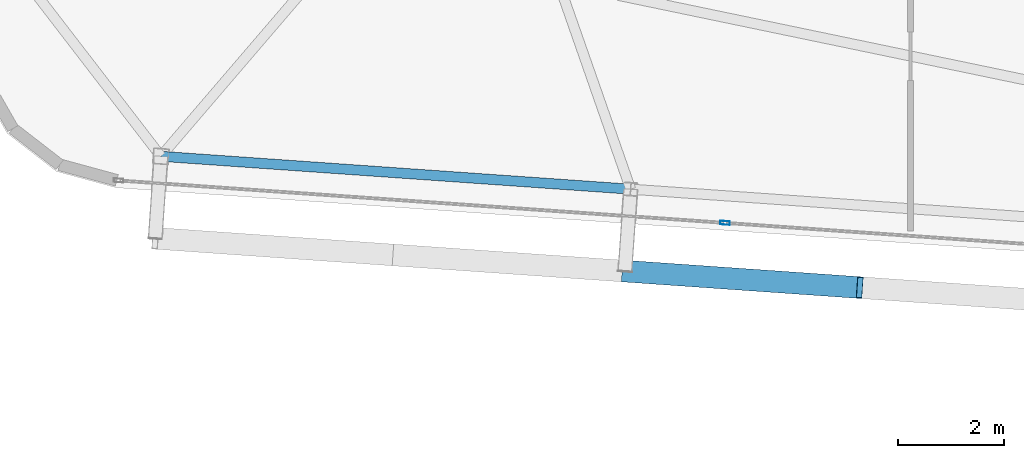
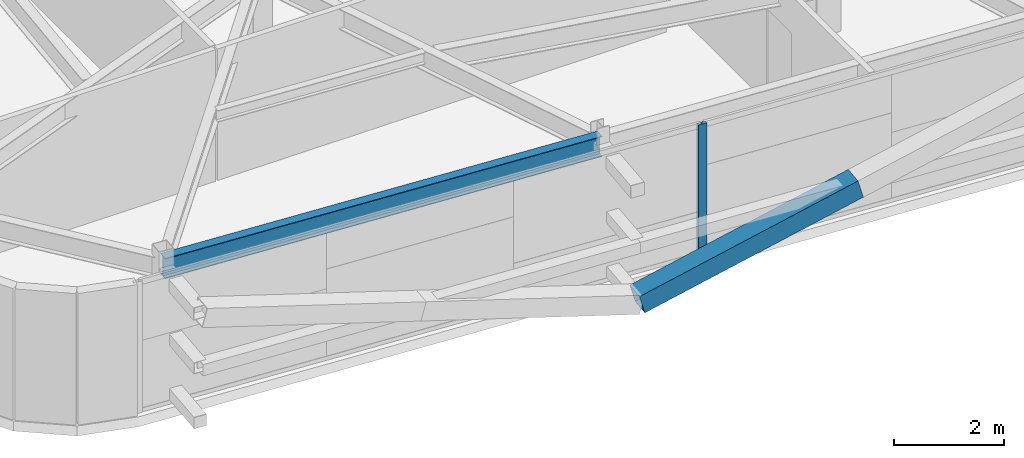
# One storey, part 7 of 39: 2 members, 1 beam, 1 element without a shape of its own.
"""IFC4 building model written with IfcOpenShell, lengths in metres."""

from ifc_helpers import new_model, si_unit, direction, frame, origin, origin_2d, place, context, subcontext, project, spatial, hollow_rectangle, i_section, extrude, source, transform, mapped, material, layer, layer_set, material_profile, profile_set, type_object, element, aggregate, save


model = new_model("IFC4")

# Units and contexts
model_context = context("Model", 3, precision=1e-05, world=origin(), true_north=direction((0.0, 1.0)))
body_context = subcontext(model_context, "Body", "Model", "MODEL_VIEW")
ifc_project = project(units=[si_unit("LENGTHUNIT", "METRE"), si_unit("AREAUNIT", "SQUARE_METRE"), si_unit("VOLUMEUNIT", "CUBIC_METRE"), si_unit("PLANEANGLEUNIT", "RADIAN"), si_unit("MASSUNIT", "GRAM", prefix="KILO")], contexts=[model_context])

# Site, building, storey
site_placement = place(None, origin())
site = spatial("IfcSite", under=ifc_project, at=site_placement, CompositionType="ELEMENT")
building_placement = place(site_placement, origin())
building = spatial("IfcBuilding", under=site, at=building_placement, Name="Taldren Reach Tower", CompositionType="ELEMENT")
storey_placement = place(building_placement, frame((0.0, 0.0, 129.85009765625)))
storey = spatial("IfcBuildingStorey", under=building, at=storey_placement, Name="L39", CompositionType="ELEMENT", Elevation=129.85009765625)

# Beam
ifc_material_1 = material(Name="Steel Gr 350 (350PLUS)", Category="steel")
ifc_material_profile_1 = material_profile(ifc_material_1, i_section(OverallWidth=0.18994140625, OverallDepth=0.4541015625, WebThickness=0.008544921875, FlangeThickness=0.0126953125, at=origin_2d()), Name="460UB67.1")
ifc_profile_set_1 = profile_set([ifc_material_profile_1], Name="Steel Gr 350 (350PLUS)")
beam_type = type_object("IfcBeamType", Name="SP-UB460B", PredefinedType="SPANDREL", material=ifc_profile_set_1)
shared_shape_1 = source(origin(), body_context, "Body", "SweptSolid", [
    extrude(i_section(OverallWidth=0.18994140625, OverallDepth=0.4541015625, WebThickness=0.008544921875, FlangeThickness=0.0126953125, at=origin_2d()), origin(), (0.0, 0.0, 1.0), 8.880126953125),
])
beam_placement = place(storey_placement, frame((11.863525390625, 5.33837890625, 2.702880859375), z_axis=(0.997564479639, -0.069750333063, 0.0), x_axis=(0.069750333063, 0.997564479639, 0.0)))
element("IfcBeam", 1, at=beam_placement, inside=storey, type_object=beam_type, Name="Perimeter spandrel B3 S1-S2 L39", PredefinedType="SPANDREL", context=body_context, shape_type="MappedRepresentation", body=[
    mapped(shared_shape_1, transform((0.0, 0.0, 0.0), scale=1.0)),
])

# Member
ifc_material_2 = material(Name="Steel Gr 450 (C450L0)", Category="steel")
ifc_material_profile_2 = material_profile(ifc_material_2, hollow_rectangle(XDim=0.409912109375, YDim=0.409912109375, WallThickness=0.01611328125, at=origin_2d()), Name="410x410x16.0SHS")
ifc_profile_set_2 = profile_set([ifc_material_profile_2], Name="Steel Gr 450 (C450L0)")
member_type_1 = type_object("IfcMemberType", Name="MB-EXO406", PredefinedType="BRACE", material=ifc_profile_set_2)
shared_shape_2 = source(origin(), body_context, "Body", "SweptSolid", [
    extrude(hollow_rectangle(XDim=0.409912109375, YDim=0.409912109375, WallThickness=0.01611328125, at=origin_2d()), origin(), (0.0, 0.0, 1.0), 4.603271484375),
])
member_1_placement = place(storey_placement, frame((20.61376953125, 3.1728515625, 0.219970703125), z_axis=(0.962195820062, -0.067303852699, 0.263911718699), x_axis=(0.06977769246, 0.997562566276, 0.0)))
element("IfcMember", 2, at=member_1_placement, inside=storey, type_object=member_type_1, Name="Exoskeleton Diagrid Brace B3-S2 L39", PredefinedType="BRACE", context=body_context, shape_type="MappedRepresentation", body=[
    mapped(shared_shape_2, transform((0.0, 0.0, 0.0), scale=1.0)),
])

# Curtain wall, member
ifc_material_3 = material(Name="Aluminium and Low-E Glass Unitised System", Category="aluminium")
ifc_layer = layer(ifc_material_3, 0.159912109375)
ifc_layer_set = layer_set([ifc_layer], Name="Aluminium and Low-E Glass Unitised System")
curtain_wall_type = type_object("IfcCurtainWallType", Name="CW-SYS-4", PredefinedType="NOTDEFINED", material=ifc_layer_set)
curtain_wall_placement = place(storey_placement, origin())
curtain_wall = element("IfcCurtainWall", 3, at=curtain_wall_placement, inside=storey, type_object=curtain_wall_type, Name="Unitised curtain wall CW-L39-S", PredefinedType="NOTDEFINED")
ifc_material_4 = material(Name="Anodised Aluminium 6063-T6", Category="aluminium")
ifc_material_profile_3 = material_profile(ifc_material_4, hollow_rectangle(XDim=0.070068359375, YDim=0.179931640625, WallThickness=0.00390625, at=origin_2d()), Name="ALU-180x70x4RHS")
ifc_profile_set_3 = profile_set([ifc_material_profile_3], Name="Anodised Aluminium 6063-T6")
member_type_2 = type_object("IfcMemberType", Name="CW-MUL-180", PredefinedType="MULLION", material=ifc_profile_set_3)
shared_shape_3 = source(origin(), body_context, "Body", "SweptSolid", [
    extrude(hollow_rectangle(XDim=0.070068359375, YDim=0.179931640625, WallThickness=0.00390625, at=origin_2d()), origin(), (0.0, 0.0, 1.0), 2.929931640625),
])
member_2_placement = place(storey_placement, frame((22.501953125, 4.083251953125, 0.0), z_axis=(0.0, 0.0, 1.0), x_axis=(0.06975651593, 0.99756404731, 0.0)))
member_2 = element("IfcMember", 4, at=member_2_placement, type_object=member_type_2, Name="CW-4 mullion 2", PredefinedType="MULLION", context=body_context, shape_type="MappedRepresentation", body=[
    mapped(shared_shape_3, transform((0.0, 0.0, 0.0), scale=1.0)),
])
aggregate(curtain_wall, [member_2])

save(model, "model.ifc")
